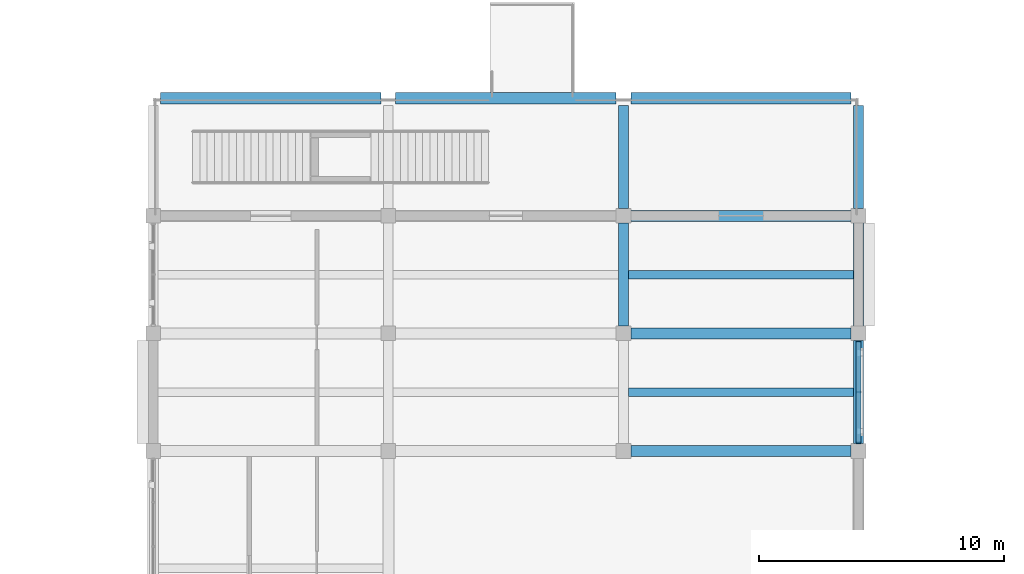
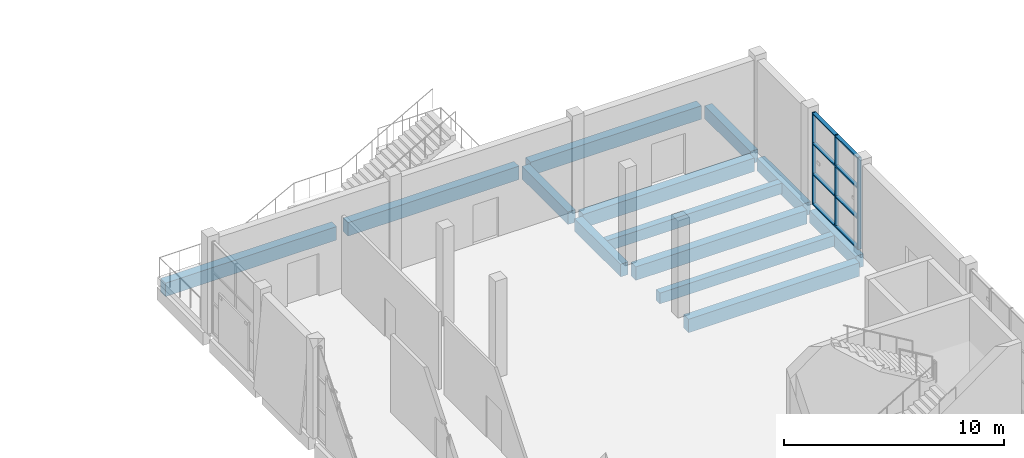
# One storey, part 13 of 72: 13 beams, 7 members, 1 element without a shape of its own.
"""IFC4 building model written with IfcOpenShell, lengths in metres."""

from ifc_helpers import new_model, si_unit, direction, frame, origin, origin_2d, place, context, subcontext, project, spatial, rectangle, extrude, material, material_profile, profile_set, type_object, element, aggregate, save


model = new_model("IFC4")

# Units and contexts
model_context = context("Model", 3, precision=1e-05, world=origin(), true_north=direction((0.0, 1.0)))
body_context = subcontext(model_context, "Body", "Model", "MODEL_VIEW")
ifc_project = project(units=[si_unit("LENGTHUNIT", "METRE"), si_unit("AREAUNIT", "SQUARE_METRE"), si_unit("VOLUMEUNIT", "CUBIC_METRE"), si_unit("PLANEANGLEUNIT", "RADIAN"), si_unit("MASSUNIT", "GRAM", prefix="KILO")], contexts=[model_context])

# Site, building, storey
site_placement = place(None, origin())
site = spatial("IfcSite", under=ifc_project, at=site_placement, CompositionType="ELEMENT")
building_placement = place(site_placement, origin())
building = spatial("IfcBuilding", under=site, at=building_placement, Name="Shalvenor Court Art Gallery", CompositionType="ELEMENT")
storey_placement = place(building_placement, frame((0.0, 0.0, 11.39990234375)))
storey = spatial("IfcBuildingStorey", under=building, at=storey_placement, Name="L02", CompositionType="ELEMENT", Elevation=11.39990234375)

# Beams
ifc_material_1 = material(Name="Concrete C40/50", Category="concrete")
ifc_material_profile_1 = material_profile(ifc_material_1, rectangle(XDim=0.449951171875, YDim=0.75, at=origin_2d()), Name="RC 450x750")
ifc_profile_set_1 = profile_set([ifc_material_profile_1], Name="Concrete C40/50")
beam_type_1 = type_object("IfcBeamType", Name="B-04", PredefinedType="BEAM", material=ifc_profile_set_1)
for number, where, z_axis, x_axis, name in (
    (1, (115.5, 19.199951171875, -0.69482421875), (1.0, 0.0, 0.0), (0.0, 1.0, 0.0), "L02 Girder BM-L02-B-04-0824"),
    (2, (115.5, 24.0, -0.69482421875), (1.0, 0.0, 0.0), (0.0, 1.0, 0.0), "L02 Girder BM-L02-B-04-0827"),
    (3, (115.5, 28.800048828125, -0.69482421875), (1.0, 0.0, 0.0), (0.0, 1.0, 0.0), "L02 Girder BM-L02-B-04-0837"),
    (4, (96.300048828125, 33.60009765625, -0.69482421875), (1.0, 0.0, 0.0), (0.0, 1.0, 0.0), "L02 Girder BM-L02-B-04-0838"),
    (5, (105.89990234375, 33.60009765625, -0.69482421875), (1.0, 0.0, 0.0), (0.0, 1.0, 0.0), "L02 Girder BM-L02-B-04-0839"),
    (6, (115.5, 33.60009765625, -0.69482421875), (1.0, 0.0, 0.0), (0.0, 1.0, 0.0), "L02 Girder BM-L02-B-04-0840"),
):
    element("IfcBeam", number, at=place(storey_placement, frame(where, z_axis=z_axis, x_axis=x_axis)), inside=storey, type_object=beam_type_1, Name=name, PredefinedType="BEAM", context=body_context, shape_type="SweptSolid", body=[
        extrude(rectangle(XDim=0.449951171875, YDim=0.75, at=origin_2d()), origin(), (0.0, 0.0, 1.0), 9.0),
    ])
ifc_material_2 = material(Name="Concrete C40/50", Category="concrete")
ifc_material_profile_2 = material_profile(ifc_material_2, rectangle(XDim=0.39990234375, YDim=0.699951171875, at=origin_2d()), Name="RC 400x700")
ifc_profile_set_2 = profile_set([ifc_material_profile_2], Name="Concrete C40/50")
beam_type_2 = type_object("IfcBeamType", Name="B-05", PredefinedType="BEAM", material=ifc_profile_set_2)
for number, where, z_axis, x_axis, name in (
    (7, (115.199951171875, 24.300048828125, -0.669921875), (0.0, 1.0, 0.0), (-1.0, 0.0, 0.0), "L02 Girder BM-L02-B-05-0759"),
    (8, (115.199951171875, 29.10009765625, -0.669921875), (0.0, 1.0, 0.0), (-1.0, 0.0, 0.0), "L02 Girder BM-L02-B-05-0760"),
    (9, (124.800048828125, 19.5, -0.669921875), (0.0, 1.0, 0.0), (-1.0, 0.0, 0.0), "L02 Girder BM-L02-B-05-0764"),
    (10, (124.800048828125, 24.300048828125, -0.669921875), (0.0, 1.0, 0.0), (-1.0, 0.0, 0.0), "L02 Girder BM-L02-B-05-0765"),
    (11, (124.800048828125, 29.10009765625, -0.669921875), (0.0, 1.0, 0.0), (-1.0, 0.0, 0.0), "L02 Girder BM-L02-B-05-0766"),
):
    element("IfcBeam", number, at=place(storey_placement, frame(where, z_axis=z_axis, x_axis=x_axis)), inside=storey, type_object=beam_type_2, Name=name, PredefinedType="BEAM", context=body_context, shape_type="SweptSolid", body=[
        extrude(rectangle(XDim=0.39990234375, YDim=0.699951171875, at=origin_2d()), origin(), (0.0, 0.0, 1.0), 4.199951171875),
    ])

# Curtain wall, members
ifc_material_3 = material(Name="Anodised aluminium and low-iron glass curtain wall", Category="aluminium")
curtain_wall_type = type_object("IfcCurtainWallType", Name="CW-2x3-42-51-142", PredefinedType="USERDEFINED", material=ifc_material_3)
curtain_wall_placement = place(storey_placement, origin())
curtain_wall = element("IfcCurtainWall", 12, at=curtain_wall_placement, inside=storey, type_object=curtain_wall_type, Name="L02 V3 Curtain Wall CW-L02-104", ObjectType="CURTAIN WALL", PredefinedType="USERDEFINED")
ifc_material_4 = material(Name="Anodised aluminium mullion", Category="aluminium")
ifc_material_profile_3 = material_profile(ifc_material_4, rectangle(XDim=0.06494140625, YDim=0.179931640625, at=origin_2d()), Name="CWM-01")
ifc_profile_set_3 = profile_set([ifc_material_profile_3], Name="Anodised aluminium mullion")
member_type_1 = type_object("IfcMemberType", Name="CWM-01", PredefinedType="MULLION", material=ifc_profile_set_3)
member_1_placement = place(storey_placement, frame((124.800048828125, 23.66748046875, 0.0), z_axis=(0.0, 0.0, 1.0), x_axis=(0.0, -1.0, 0.0)))
member_1 = element("IfcMember", 13, at=member_1_placement, type_object=member_type_1, Name="CW-2x3-42-51-142 mullion 1", PredefinedType="MULLION", context=body_context, shape_type="SweptSolid", body=[
    extrude(rectangle(XDim=0.06494140625, YDim=0.179931640625, at=origin_2d()), origin(), (0.0, 0.0, 1.0), 5.10009765625),
])
member_2_placement = place(storey_placement, frame((124.800048828125, 21.60009765625, 0.0), z_axis=(0.0, 0.0, 1.0), x_axis=(0.0, -1.0, 0.0)))
member_2 = element("IfcMember", 14, at=member_2_placement, type_object=member_type_1, Name="CW-2x3-42-51-142 mullion 2", PredefinedType="MULLION", context=body_context, shape_type="SweptSolid", body=[
    extrude(rectangle(XDim=0.06494140625, YDim=0.179931640625, at=origin_2d()), origin(), (0.0, 0.0, 1.0), 5.10009765625),
])
member_3_placement = place(storey_placement, frame((124.800048828125, 19.532470703125, 0.0), z_axis=(0.0, 0.0, 1.0), x_axis=(0.0, -1.0, 0.0)))
member_3 = element("IfcMember", 15, at=member_3_placement, type_object=member_type_1, Name="CW-2x3-42-51-142 mullion 3", PredefinedType="MULLION", context=body_context, shape_type="SweptSolid", body=[
    extrude(rectangle(XDim=0.06494140625, YDim=0.179931640625, at=origin_2d()), origin(), (0.0, 0.0, 1.0), 5.10009765625),
])
ifc_material_5 = material(Name="Anodised aluminium transom", Category="aluminium")
ifc_material_profile_4 = material_profile(ifc_material_5, rectangle(XDim=0.18994140625, YDim=0.070068359375, at=origin_2d()), Name="CWT-04")
ifc_profile_set_4 = profile_set([ifc_material_profile_4], Name="Anodised aluminium transom")
member_type_2 = type_object("IfcMemberType", Name="CWT-04", PredefinedType="USERDEFINED", material=ifc_profile_set_4)
member_4_placement = place(storey_placement, frame((124.800048828125, 23.66748046875, 0.03515625), z_axis=(0.0, -1.0, 0.0), x_axis=(1.0, 0.0, 0.0)))
member_4 = element("IfcMember", 16, at=member_4_placement, type_object=member_type_2, Name="CW-2x3-42-51-142 transom 1", ObjectType="TRANSOM", PredefinedType="USERDEFINED", context=body_context, shape_type="SweptSolid", body=[
    extrude(rectangle(XDim=0.18994140625, YDim=0.070068359375, at=origin_2d()), origin(), (0.0, 0.0, 1.0), 4.135009765625),
])
member_5_placement = place(storey_placement, frame((124.800048828125, 23.66748046875, 1.7001953125), z_axis=(0.0, -1.0, 0.0), x_axis=(1.0, 0.0, 0.0)))
member_5 = element("IfcMember", 17, at=member_5_placement, type_object=member_type_2, Name="CW-2x3-42-51-142 transom 2", ObjectType="TRANSOM", PredefinedType="USERDEFINED", context=body_context, shape_type="SweptSolid", body=[
    extrude(rectangle(XDim=0.18994140625, YDim=0.070068359375, at=origin_2d()), origin(), (0.0, 0.0, 1.0), 4.135009765625),
])
member_6_placement = place(storey_placement, frame((124.800048828125, 23.66748046875, 3.400146484375), z_axis=(0.0, -1.0, 0.0), x_axis=(1.0, 0.0, 0.0)))
member_6 = element("IfcMember", 18, at=member_6_placement, type_object=member_type_2, Name="CW-2x3-42-51-142 transom 3", ObjectType="TRANSOM", PredefinedType="USERDEFINED", context=body_context, shape_type="SweptSolid", body=[
    extrude(rectangle(XDim=0.18994140625, YDim=0.070068359375, at=origin_2d()), origin(), (0.0, 0.0, 1.0), 4.135009765625),
])
member_7_placement = place(storey_placement, frame((124.800048828125, 23.66748046875, 5.065185546875), z_axis=(0.0, -1.0, 0.0), x_axis=(1.0, 0.0, 0.0)))
member_7 = element("IfcMember", 19, at=member_7_placement, type_object=member_type_2, Name="CW-2x3-42-51-142 transom 4", ObjectType="TRANSOM", PredefinedType="USERDEFINED", context=body_context, shape_type="SweptSolid", body=[
    extrude(rectangle(XDim=0.18994140625, YDim=0.070068359375, at=origin_2d()), origin(), (0.0, 0.0, 1.0), 4.135009765625),
])
aggregate(curtain_wall, [member_1, member_2, member_3, member_4, member_5, member_6, member_7])

# Beams
ifc_material_6 = material(Name="Concrete C40/50", Category="concrete")
ifc_material_profile_5 = material_profile(ifc_material_6, rectangle(XDim=0.35009765625, YDim=0.60009765625, at=origin_2d()), Name="RC 350x600")
ifc_profile_set_5 = profile_set([ifc_material_profile_5], Name="Concrete C40/50")
beam_type_3 = type_object("IfcBeamType", Name="J-01", PredefinedType="JOIST", material=ifc_profile_set_5)
for number, where, z_axis, x_axis, name in (
    (20, (115.39990234375, 21.60009765625, -0.619873046875), (1.0, 0.0, 0.0), (0.0, 1.0, 0.0), "L02 Secondary Beam JST-L02-J-01-0947"),
    (21, (115.39990234375, 26.39990234375, -0.619873046875), (1.0, 0.0, 0.0), (0.0, 1.0, 0.0), "L02 Secondary Beam JST-L02-J-01-0948"),
):
    element("IfcBeam", number, at=place(storey_placement, frame(where, z_axis=z_axis, x_axis=x_axis)), inside=storey, type_object=beam_type_3, Name=name, PredefinedType="JOIST", context=body_context, shape_type="SweptSolid", body=[
        extrude(rectangle(XDim=0.35009765625, YDim=0.60009765625, at=origin_2d()), origin(), (0.0, 0.0, 1.0), 9.2001953125),
    ])

save(model, "model.ifc")
